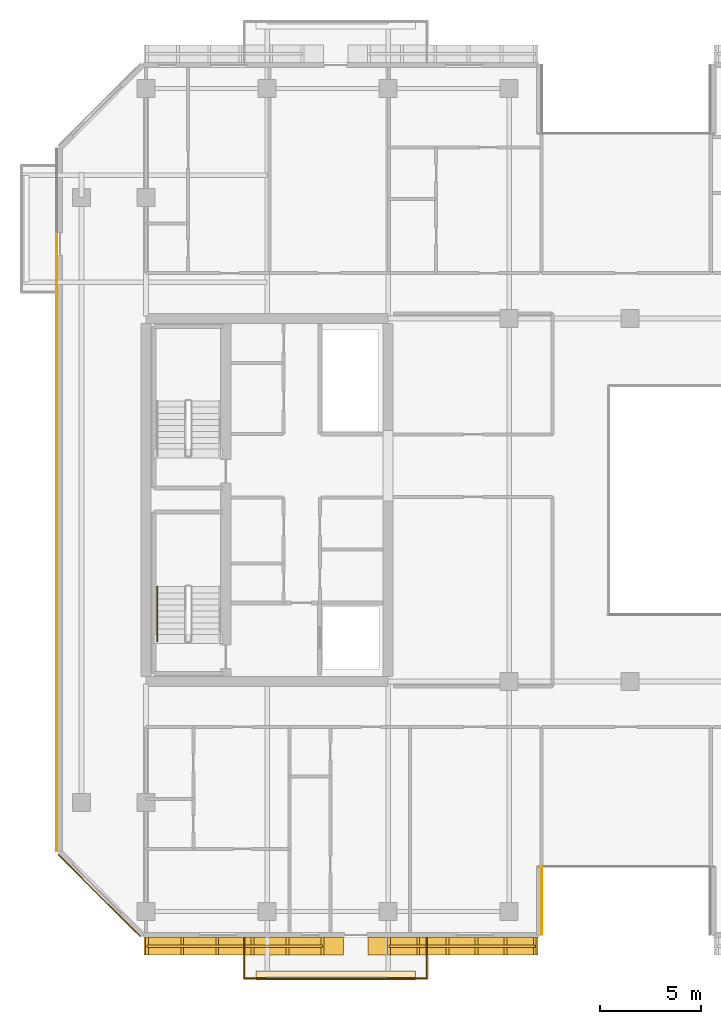
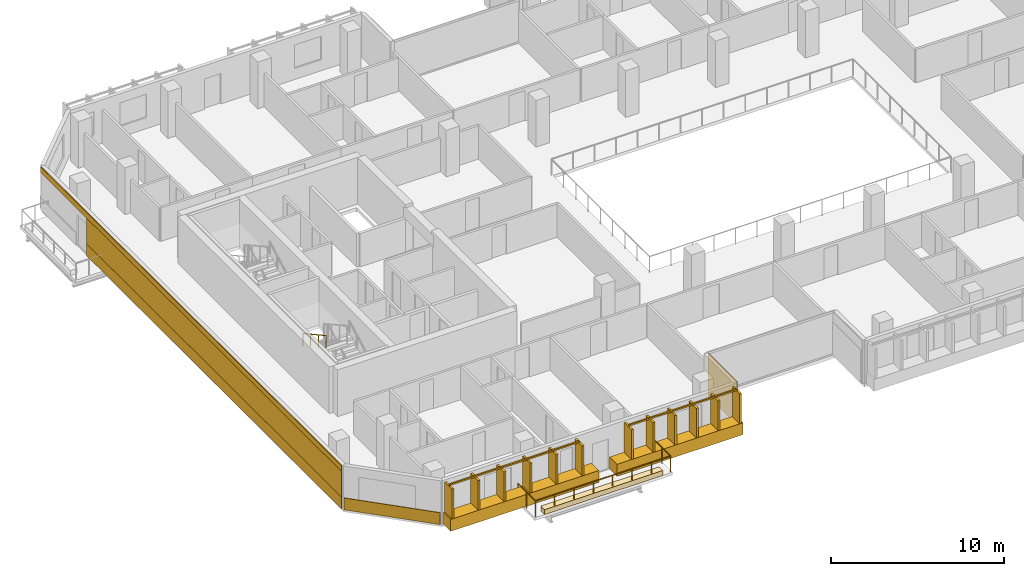
# One storey, part 16 of 21: 8 coverings, 4 railings.
"""IFC4 building model written with IfcOpenShell, lengths in metres."""

from ifc_helpers import new_model, si_unit, direction, frame, origin, origin_2d, place, context, subcontext, project, spatial, polyline, rectangle, outline, extrude, material, layer, layer_set, type_object, element, save


model = new_model("IFC4")

# Units and contexts
model_context = context("Model", 3, precision=1e-05, world=origin(), true_north=direction((0.0, 1.0)))
body_context = subcontext(model_context, "Body", "Model", "MODEL_VIEW")
ifc_project = project(units=[si_unit("LENGTHUNIT", "METRE"), si_unit("AREAUNIT", "SQUARE_METRE"), si_unit("VOLUMEUNIT", "CUBIC_METRE"), si_unit("PLANEANGLEUNIT", "RADIAN"), si_unit("MASSUNIT", "GRAM", prefix="KILO")], contexts=[model_context])

# Site, building, storey
site_placement = place(None, origin())
site = spatial("IfcSite", under=ifc_project, at=site_placement, CompositionType="ELEMENT")
building_placement = place(site_placement, origin())
building = spatial("IfcBuilding", under=site, at=building_placement, Name="Tanjung Sevakor Pilgrim Tower", CompositionType="ELEMENT")
storey_placement = place(building_placement, frame((0.0, 0.0, 145.199951171875)))
storey = spatial("IfcBuildingStorey", under=building, at=storey_placement, Name="L40", CompositionType="ELEMENT", Elevation=145.199951171875)

# Coverings
ifc_material_1 = material(Name="Reconstructed Limestone Cladding", Category="masonry")
ifc_layer_1 = layer(ifc_material_1, 0.044921875)
ifc_layer_set_1 = layer_set([ifc_layer_1], Name="COV-CLAD-LIMESTONE")
covering_type_1 = type_object("IfcCoveringType", Name="COV-CLAD-LIMESTONE", PredefinedType="CLADDING", material=ifc_layer_set_1)
covering_1_placement = place(storey_placement, frame((28.8408203125, 11.469970703125, 0.009765625), z_axis=(0.0, 0.0, 1.0), x_axis=(1.0, 0.0, 0.0)))
element("IfcCovering", 1, at=covering_1_placement, inside=storey, type_object=covering_type_1, Name="L40 Warm Limestone Sill Spandrel EW-L40-MAIN-1-1", PredefinedType="CLADDING", context=body_context, shape_type="SweptSolid", body=[
    extrude(rectangle(XDim=9.898193359375, YDim=0.860107421875, at=origin_2d()), origin(), (0.0, 0.0, 1.0), 0.840087890625),
])
covering_2_placement = place(storey_placement, frame((39.222412109375, 11.469970703125, 0.009765625), z_axis=(0.0, 0.0, 1.0), x_axis=(1.0, 0.0, 0.0)))
element("IfcCovering", 2, at=covering_2_placement, inside=storey, type_object=covering_type_1, Name="L40 Warm Limestone Sill Spandrel EW-L40-MAIN-1-2", PredefinedType="CLADDING", context=body_context, shape_type="SweptSolid", body=[
    extrude(rectangle(XDim=8.425048828125, YDim=0.860107421875, at=origin_2d()), origin(), (0.0, 0.0, 1.0), 0.840087890625),
])
covering_3_placement = place(storey_placement, frame((43.62255859375, 13.72509765625, 0.02001953125), z_axis=(0.0, 0.0, 1.0), x_axis=(0.0, 1.0, 0.0)))
element("IfcCovering", 3, at=covering_3_placement, inside=storey, type_object=covering_type_1, Name="L40 Warm Limestone Wall Cladding EW-L40-MAIN-2", PredefinedType="CLADDING", context=body_context, shape_type="SweptSolid", body=[
    extrude(rectangle(XDim=3.360107421875, YDim=0.044921875, at=origin_2d()), origin(), (0.0, 0.0, 1.0), 3.0400390625),
])
covering_4_placement = place(storey_placement, frame((19.577392578125, 30.94091796875, 0.009765625), z_axis=(0.0, 0.0, 1.0), x_axis=(0.0, -1.0, 0.0)))
element("IfcCovering", 4, at=covering_4_placement, inside=storey, type_object=covering_type_1, Name="L40 Warm Limestone Sill Spandrel EW-L40-MAIN-15-2", PredefinedType="CLADDING", context=body_context, shape_type="SweptSolid", body=[
    extrude(rectangle(XDim=29.498291015625, YDim=0.044921875, at=origin_2d()), origin(), (0.0, 0.0, 1.0), 0.840087890625),
])
covering_5_placement = place(storey_placement, frame((19.577392578125, 33.60009765625, 2.66015625), z_axis=(0.0, 0.0, 1.0), x_axis=(0.0, -1.0, 0.0)))
element("IfcCovering", 5, at=covering_5_placement, inside=storey, type_object=covering_type_1, Name="L40 Warm Limestone Cornice Spandrel EW-L40-MAIN-15", PredefinedType="CLADDING", context=body_context, shape_type="SweptSolid", body=[
    extrude(rectangle(XDim=34.8564453125, YDim=0.044921875, at=origin_2d()), origin(), (0.0, 0.0, 1.0), 0.409912109375),
])
covering_6_placement = place(storey_placement, frame((19.577392578125, 30.94580078125, 0.85009765625), z_axis=(0.0, 0.0, 1.0), x_axis=(0.0, -1.0, 0.0)))
element("IfcCovering", 6, at=covering_6_placement, inside=storey, type_object=covering_type_1, Name="L40 Warm Limestone Pier Panel EW-L40-MAIN-15-1", PredefinedType="CLADDING", context=body_context, shape_type="SweptSolid", body=[
    extrude(rectangle(XDim=29.50830078125, YDim=0.044921875, at=origin_2d()), origin(), (0.0, 0.0, 1.0), 1.81005859375),
])
covering_7_placement = place(storey_placement, frame((21.68408203125, 13.984130859375, 0.009765625), z_axis=(0.0, 0.0, 1.0), x_axis=(0.707106781187, -0.707106781187, 0.0)))
element("IfcCovering", 7, at=covering_7_placement, inside=storey, type_object=covering_type_1, Name="L40 Warm Limestone Sill Spandrel EW-CHM-L40-MAIN-15-1", PredefinedType="CLADDING", context=body_context, shape_type="SweptSolid", body=[
    extrude(rectangle(XDim=5.756103515625, YDim=0.044921875, at=origin_2d()), origin(), (0.0, 0.0, 1.0), 0.840087890625),
])
ifc_material_2 = material(Name="Vegetated Modular Planter Assembly", Category="organic")
ifc_layer_2 = layer(ifc_material_2, 0.35009765625)
ifc_layer_set_2 = layer_set([ifc_layer_2], Name="COV-GRN-TROUGH")
covering_type_2 = type_object("IfcCoveringType", Name="COV-GRN-TROUGH", PredefinedType="CLADDING", material=ifc_layer_set_2)
covering_8_placement = place(storey_placement, origin())
element("IfcCovering", 8, at=covering_8_placement, inside=storey, type_object=covering_type_2, Name="L40 Planted Landscape Hedge Trough BGRN-L40-MAIN-S1", PredefinedType="CLADDING", context=body_context, shape_type="SweptSolid", body=[
    extrude(outline(polyline([(29.449951171875, 9.800048828125), (37.35009765625, 9.800048828125), (37.35009765625, 10.239990234375), (29.449951171875, 10.239990234375), (29.449951171875, 9.800048828125)])), origin(), (0.0, 0.0, 1.0), 0.35009765625),
])

# Railings
ifc_material_3 = material(Name="Laminated Glass and Aluminium", Category="aluminium")
railing_type_1 = type_object("IfcRailingType", Name="RL-BAL-BALUST", PredefinedType="BALUSTRADE", material=ifc_material_3)
railing_1_placement = place(storey_placement, frame((28.8798828125, 11.89990234375, 0.0)))
element("IfcRailing", 9, at=railing_1_placement, inside=storey, type_object=railing_type_1, Name="L40 Loggia Balustrade MAIN-S1", PredefinedType="BALUSTRADE", context=body_context, shape_type="SweptSolid", body=[
    extrude(rectangle(XDim=0.0479, YDim=0.0479), frame((0.0, 0.0, 1.1259765625), z_axis=(0.0, -1.0, 0.0), x_axis=(1.0, 0.0, 0.0)), (0.0, 0.0, 1.0), 2.02001953125),
    extrude(rectangle(XDim=0.0479, YDim=0.0479), frame((0.0, -2.02001953125, 1.1259765625), z_axis=(1.0, 0.0, 0.0), x_axis=(0.0, 1.0, 0.0)), (0.0, 0.0, 1.0), 9.0400390625),
    extrude(rectangle(XDim=0.0479, YDim=0.0479), frame((9.0400390625, -2.02001953125, 1.1259765625), z_axis=(0.0, 1.0, 0.0), x_axis=(-1.0, 0.0, 0.0)), (0.0, 0.0, 1.0), 2.02001953125),
    extrude(rectangle(XDim=0.042, YDim=0.042), origin(), (0.0, 0.0, 1.0), 1.101806640625),
    extrude(rectangle(XDim=0.042, YDim=0.042), frame((0.0, -1.010009765625, 0.0)), (0.0, 0.0, 1.0), 1.101806640625),
    extrude(rectangle(XDim=0.042, YDim=0.042), frame((0.0, -2.02001953125, 0.0)), (0.0, 0.0, 1.0), 1.101806640625),
    extrude(rectangle(XDim=0.042, YDim=0.042), frame((1.29150390625, -2.02001953125, 0.0)), (0.0, 0.0, 1.0), 1.101806640625),
    extrude(rectangle(XDim=0.042, YDim=0.042), frame((2.582763671875, -2.02001953125, 0.0)), (0.0, 0.0, 1.0), 1.101806640625),
    extrude(rectangle(XDim=0.042, YDim=0.042), frame((3.874267578125, -2.02001953125, 0.0)), (0.0, 0.0, 1.0), 1.101806640625),
    extrude(rectangle(XDim=0.042, YDim=0.042), frame((5.165771484375, -2.02001953125, 0.0)), (0.0, 0.0, 1.0), 1.101806640625),
    extrude(rectangle(XDim=0.042, YDim=0.042), frame((6.457275390625, -2.02001953125, 0.0)), (0.0, 0.0, 1.0), 1.101806640625),
    extrude(rectangle(XDim=0.042, YDim=0.042), frame((7.74853515625, -2.02001953125, 0.0)), (0.0, 0.0, 1.0), 1.101806640625),
    extrude(rectangle(XDim=0.042, YDim=0.042), frame((9.0400390625, -2.02001953125, 0.0)), (0.0, 0.0, 1.0), 1.101806640625),
    extrude(rectangle(XDim=0.042, YDim=0.042), frame((9.0400390625, -1.010009765625, 0.0)), (0.0, 0.0, 1.0), 1.101806640625),
    extrude(rectangle(XDim=0.042, YDim=0.042), frame((9.0400390625, 0.0, 0.0)), (0.0, 0.0, 1.0), 1.101806640625),
])
ifc_material_4 = material(Name="Anodised Bronze Aluminium 6063-T6", Category="aluminium")
railing_type_2 = type_object("IfcRailingType", Name="RL-FIN-SCREEN", PredefinedType="BALUSTRADE", material=ifc_material_4)
railing_2_placement = place(storey_placement, frame((24.0517578125, 11.47509765625, 0.840087890625)))
element("IfcRailing", 10, at=railing_2_placement, inside=storey, type_object=railing_type_2, Name="L40 Vertical Bronze-Gold Solar Fin Screen FNSCR-EW-L40-MAIN-1-1", PredefinedType="BALUSTRADE", context=body_context, shape_type="SweptSolid", body=[
    extrude(rectangle(XDim=0.105, YDim=0.105), frame((0.0, 0.0, 2.157470703125), z_axis=(1.0, 0.0, 0.0), x_axis=(0.0, 1.0, 0.0)), (0.0, 0.0, 1.0), 8.6982421875),
    extrude(rectangle(XDim=0.14, YDim=0.85), origin(), (0.0, 0.0, 1.0), 2.10498046875),
    extrude(rectangle(XDim=0.14, YDim=0.85), frame((1.73974609375, 0.0, 0.0)), (0.0, 0.0, 1.0), 2.10498046875),
    extrude(rectangle(XDim=0.14, YDim=0.85), frame((3.479248046875, 0.0, 0.0)), (0.0, 0.0, 1.0), 2.10498046875),
    extrude(rectangle(XDim=0.14, YDim=0.85), frame((5.218994140625, 0.0, 0.0)), (0.0, 0.0, 1.0), 2.10498046875),
    extrude(rectangle(XDim=0.14, YDim=0.85), frame((6.95849609375, 0.0, 0.0)), (0.0, 0.0, 1.0), 2.10498046875),
    extrude(rectangle(XDim=0.14, YDim=0.85), frame((8.6982421875, 0.0, 0.0)), (0.0, 0.0, 1.0), 2.10498046875),
])
railing_3_placement = place(storey_placement, frame((36.050048828125, 11.47509765625, 0.840087890625)))
element("IfcRailing", 11, at=railing_3_placement, inside=storey, type_object=railing_type_2, Name="L40 Vertical Bronze-Gold Solar Fin Screen FNSCR-EW-L40-MAIN-1-2", PredefinedType="BALUSTRADE", context=body_context, shape_type="SweptSolid", body=[
    extrude(rectangle(XDim=0.105, YDim=0.105), frame((0.0, 0.0, 2.157470703125), z_axis=(1.0, 0.0, 0.0), x_axis=(0.0, 1.0, 0.0)), (0.0, 0.0, 1.0), 7.224853515625),
    extrude(rectangle(XDim=0.14, YDim=0.85), origin(), (0.0, 0.0, 1.0), 2.10498046875),
    extrude(rectangle(XDim=0.14, YDim=0.85), frame((1.445068359375, 0.0, 0.0)), (0.0, 0.0, 1.0), 2.10498046875),
    extrude(rectangle(XDim=0.14, YDim=0.85), frame((2.889892578125, 0.0, 0.0)), (0.0, 0.0, 1.0), 2.10498046875),
    extrude(rectangle(XDim=0.14, YDim=0.85), frame((4.3349609375, 0.0, 0.0)), (0.0, 0.0, 1.0), 2.10498046875),
    extrude(rectangle(XDim=0.14, YDim=0.85), frame((5.77978515625, 0.0, 0.0)), (0.0, 0.0, 1.0), 2.10498046875),
    extrude(rectangle(XDim=0.14, YDim=0.85), frame((7.224853515625, 0.0, 0.0)), (0.0, 0.0, 1.0), 2.10498046875),
])
ifc_material_5 = material(Name="Steel S355J2", Category="steel")
railing_type_3 = type_object("IfcRailingType", Name="RL-STAIR-HAND", PredefinedType="HANDRAIL", material=ifc_material_5)
railing_4_placement = place(storey_placement, frame((24.550048828125, 29.300048828125, 1.81494140625)))
element("IfcRailing", 12, at=railing_4_placement, inside=storey, type_object=railing_type_3, Name="L40 TS-W1 stair handrail 2", PredefinedType="HANDRAIL", context=body_context, shape_type="SweptSolid", body=[
    extrude(rectangle(XDim=0.0479, YDim=0.0479), frame((0.0, 0.0, 0.8759765625), z_axis=(0.0, -0.876197507361, 0.481952205197), x_axis=(1.0, 0.0, 0.0)), (0.0, 0.0, 1.0), 3.08154296875),
    extrude(rectangle(XDim=0.042, YDim=0.042), origin(), (0.0, 0.0, 1.0), 0.851806640625),
    extrude(rectangle(XDim=0.042, YDim=0.042), frame((0.0, -0.89990234375, 0.4951171875)), (0.0, 0.0, 1.0), 0.851806640625),
    extrude(rectangle(XDim=0.042, YDim=0.042), frame((0.0, -1.800048828125, 0.989990234375)), (0.0, 0.0, 1.0), 0.851806640625),
    extrude(rectangle(XDim=0.042, YDim=0.042), frame((0.0, -2.699951171875, 1.485107421875)), (0.0, 0.0, 1.0), 0.851806640625),
])

save(model, "model.ifc")
